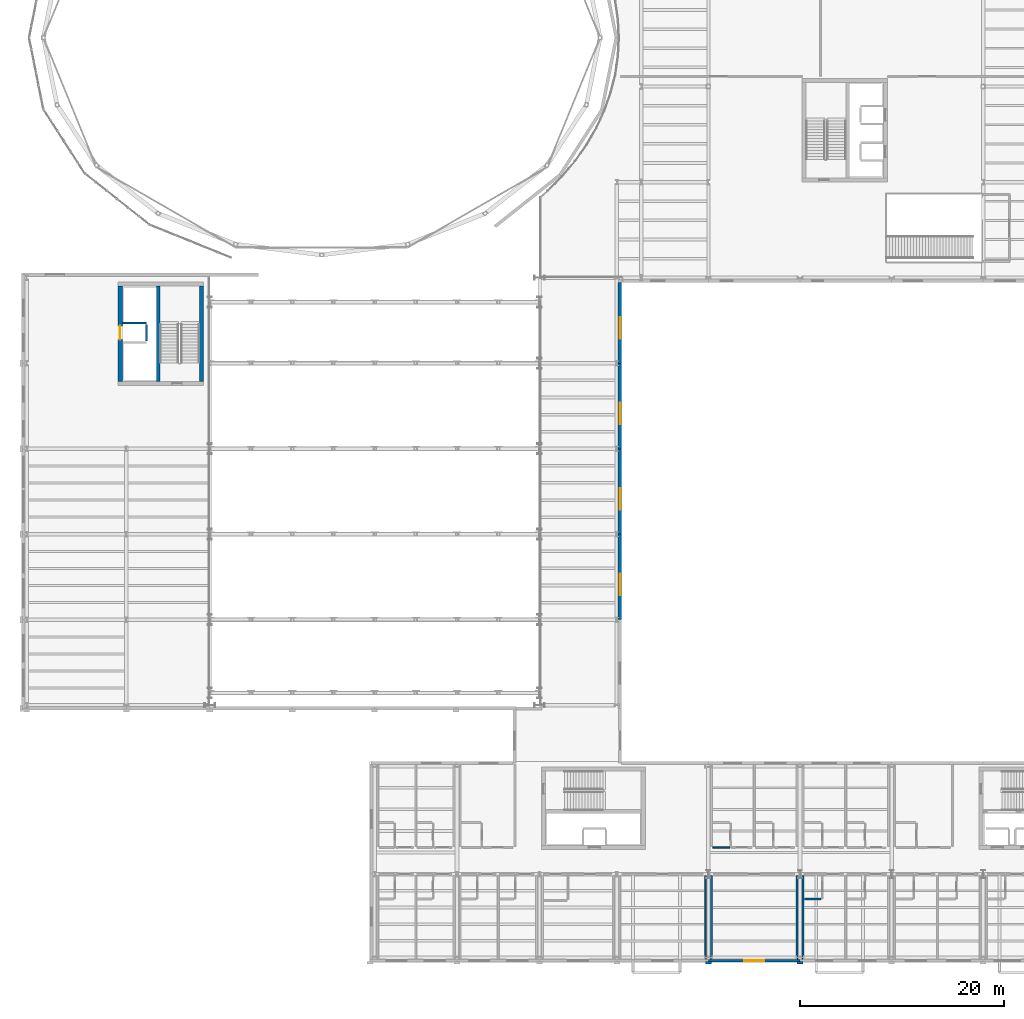
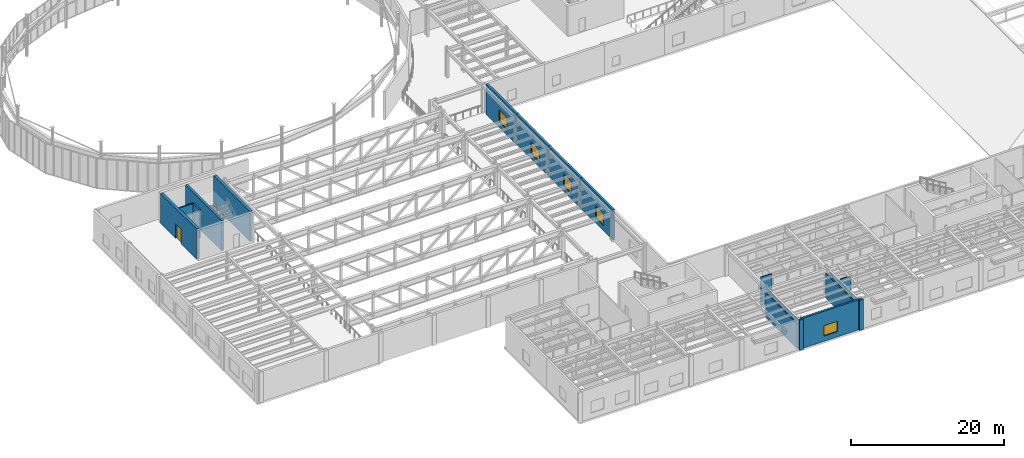
# One storey, part 68 of 91: 18 walls, 5 windows, 1 door, 6 openings.
"""IFC4 building model written with IfcOpenShell, lengths in metres."""

from ifc_helpers import new_model, si_unit, direction, frame, frame_2d, origin, place, context, subcontext, project, spatial, rectangle, extrude, material, layer, layer_set, type_object, element, fill, save


model = new_model("IFC4")

# Units and contexts
model_context = context("Model", 3, precision=1e-05, world=origin(), true_north=direction((0.0, 1.0)))
body_context = subcontext(model_context, "Body", "Model", "MODEL_VIEW")
ifc_project = project(units=[si_unit("LENGTHUNIT", "METRE"), si_unit("AREAUNIT", "SQUARE_METRE"), si_unit("VOLUMEUNIT", "CUBIC_METRE"), si_unit("PLANEANGLEUNIT", "RADIAN"), si_unit("MASSUNIT", "GRAM", prefix="KILO")], contexts=[model_context])

# Site, building, storey
site_placement = place(None, origin())
site = spatial("IfcSite", under=ifc_project, at=site_placement, CompositionType="ELEMENT")
building_placement = place(site_placement, origin())
building = spatial("IfcBuilding", under=site, at=building_placement, Name="Sollismere Congress Hotel", CompositionType="ELEMENT")
storey_placement = place(building_placement, frame((0.0, 0.0, 10.800048828125)))
storey = spatial("IfcBuildingStorey", under=building, at=storey_placement, Name="L02", CompositionType="ELEMENT", Elevation=10.800048828125)

# Wall, opening, window
ifc_material_1 = material(Name="Colorado Buff Sandstone Rainscreen on Insulated Backup", Category="masonry")
ifc_layer_1 = layer(ifc_material_1, 0.284912109375, Name="Colorado Buff Sandstone Rainscreen on Insulated Backup")
ifc_layer_set_1 = layer_set([ifc_layer_1], Name="Colorado Buff Sandstone Rainscreen on Insulated Backup")
wall_type_1 = type_object("IfcWallType", Name="WL-EXT285", PredefinedType="STANDARD", material=ifc_layer_set_1)
wall_1_placement = place(storey_placement, frame((67.0, -0.31005859375, 0.0), z_axis=(0.0, 0.0, 1.0), x_axis=(1.0, 0.0, 0.0)))
wall_1 = element("IfcWall", 1, at=wall_1_placement, inside=storey, type_object=wall_type_1, Name="Exterior wall EW-L02-334", PredefinedType="STANDARD", context=body_context, shape_type="SweptSolid", body=[
    extrude(rectangle(XDim=9.0, YDim=0.284912109375, at=frame_2d((4.5, 0.0))), origin(), (0.0, 0.0, 1.0), 4.800048828125),
])
opening_1_placement = place(wall_1_placement, frame((3.5, 0.0, 0.85009765625)))
opening_1 = element("IfcOpeningElement", 2, at=opening_1_placement, cuts=wall_1, Name="Opening W-L02-268", PredefinedType="OPENING", context=body_context, shape_type="SweptSolid", body=[
    extrude(rectangle(XDim=2.0, YDim=1.64990234375, at=frame_2d((1.0, 0.824951171875))), frame((0.0, 0.15234375, 0.0), z_axis=(0.0, -1.0, 0.0), x_axis=(1.0, 0.0, 0.0)), (0.0, 0.0, 1.0), 0.304931640625),
])
ifc_material_2 = material(Name="Thermally Broken Bronze Aluminum & Low-E Glass", Category="aluminium")
window_type_1 = type_object("IfcWindowType", Name="WN-P200x165", PartitioningType="SINGLE_PANEL", PredefinedType="WINDOW", material=ifc_material_2)
window_1_placement = place(opening_1_placement, origin())
window_1 = element("IfcWindow", 3, at=window_1_placement, inside=storey, type_object=window_type_1, Name="WIN-W-L02-268", OverallHeight=1.64990234375, OverallWidth=2.0, PartitioningType="SINGLE_PANEL", PredefinedType="WINDOW", context=body_context, shape_type="SweptSolid", body=[
    extrude(rectangle(XDim=2.0, YDim=1.64990234375, at=frame_2d((1.0, 0.824951171875))), frame((0.0, 0.030029296875, 0.0), z_axis=(0.0, -1.0, 0.0), x_axis=(1.0, 0.0, 0.0)), (0.0, 0.0, 1.0), 0.06005859375),
])
fill(opening_1, window_1)

ifc_material_3 = material(Name="Colorado Buff Sandstone and Limestone Backup C40/50", Category="masonry")
ifc_layer_2 = layer(ifc_material_3, 0.340087890625, Name="Colorado Buff Sandstone and Limestone Backup C40/50")
ifc_layer_set_2 = layer_set([ifc_layer_2], Name="Colorado Buff Sandstone and Limestone Backup C40/50")
wall_type_2 = type_object("IfcWallType", Name="WL-EXT340", PredefinedType="STANDARD", material=ifc_layer_set_2)
wall_2_placement = place(storey_placement, frame((58.31005859375, 33.199951171875, 0.0), z_axis=(0.0, 0.0, 1.0), x_axis=(0.0, 1.0, 0.0)))
wall_2 = element("IfcWall", 4, at=wall_2_placement, inside=storey, type_object=wall_type_2, Name="Exterior wall EW-L02-172", PredefinedType="STANDARD", context=body_context, shape_type="SweptSolid", body=[
    extrude(rectangle(XDim=8.400146484375, YDim=0.340087890625, at=frame_2d((4.2001953125, 0.0))), origin(), (0.0, 0.0, 1.0), 4.800048828125),
])
opening_2_placement = place(wall_2_placement, frame((2.39990234375, 0.0, 0.85009765625)))
opening_2 = element("IfcOpeningElement", 5, at=opening_2_placement, cuts=wall_2, Name="Opening W-L02-142", PredefinedType="OPENING", context=body_context, shape_type="SweptSolid", body=[
    extrude(rectangle(XDim=2.10009765625, YDim=1.89990234375, at=frame_2d((1.050048828125, 0.949951171875))), frame((0.0, 0.179931640625, 0.0), z_axis=(0.0, -1.0, 0.0), x_axis=(1.0, 0.0, 0.0)), (0.0, 0.0, 1.0), 0.360107421875),
])
window_type_2 = type_object("IfcWindowType", Name="WN-P210x190", PartitioningType="SINGLE_PANEL", PredefinedType="WINDOW", material=ifc_material_2)
window_2_placement = place(opening_2_placement, origin())
window_2 = element("IfcWindow", 6, at=window_2_placement, inside=storey, type_object=window_type_2, Name="WIN-W-L02-142", OverallHeight=1.89990234375, OverallWidth=2.10009765625, PartitioningType="SINGLE_PANEL", PredefinedType="WINDOW", context=body_context, shape_type="SweptSolid", body=[
    extrude(rectangle(XDim=2.10009765625, YDim=1.89990234375, at=frame_2d((1.050048828125, 0.949951171875))), frame((0.0, 0.030029296875, 0.0), z_axis=(0.0, -1.0, 0.0), x_axis=(1.0, 0.0, 0.0)), (0.0, 0.0, 1.0), 0.06005859375),
])
fill(opening_2, window_2)

wall_3_placement = place(storey_placement, frame((58.31005859375, 41.60009765625, 0.0), z_axis=(0.0, 0.0, 1.0), x_axis=(0.0, 1.0, 0.0)))
wall_3 = element("IfcWall", 7, at=wall_3_placement, inside=storey, type_object=wall_type_2, Name="Exterior wall EW-L02-173", PredefinedType="STANDARD", context=body_context, shape_type="SweptSolid", body=[
    extrude(rectangle(XDim=8.39990234375, YDim=0.340087890625, at=frame_2d((4.199951171875, 0.0))), origin(), (0.0, 0.0, 1.0), 4.800048828125),
])
opening_3_placement = place(wall_3_placement, frame((2.39990234375, 0.0, 0.85009765625)))
opening_3 = element("IfcOpeningElement", 8, at=opening_3_placement, cuts=wall_3, Name="Opening W-L02-143", PredefinedType="OPENING", context=body_context, shape_type="SweptSolid", body=[
    extrude(rectangle(XDim=2.10009765625, YDim=1.89990234375, at=frame_2d((1.050048828125, 0.949951171875))), frame((0.0, 0.179931640625, 0.0), z_axis=(0.0, -1.0, 0.0), x_axis=(1.0, 0.0, 0.0)), (0.0, 0.0, 1.0), 0.360107421875),
])
window_3_placement = place(opening_3_placement, origin())
window_3 = element("IfcWindow", 9, at=window_3_placement, inside=storey, type_object=window_type_2, Name="WIN-W-L02-143", OverallHeight=1.89990234375, OverallWidth=2.10009765625, PartitioningType="SINGLE_PANEL", PredefinedType="WINDOW", context=body_context, shape_type="SweptSolid", body=[
    extrude(rectangle(XDim=2.10009765625, YDim=1.89990234375, at=frame_2d((1.050048828125, 0.949951171875))), frame((0.0, 0.030029296875, 0.0), z_axis=(0.0, -1.0, 0.0), x_axis=(1.0, 0.0, 0.0)), (0.0, 0.0, 1.0), 0.06005859375),
])
fill(opening_3, window_3)

wall_4_placement = place(storey_placement, frame((58.31005859375, 50.0, 0.0), z_axis=(0.0, 0.0, 1.0), x_axis=(0.0, 1.0, 0.0)))
wall_4 = element("IfcWall", 10, at=wall_4_placement, inside=storey, type_object=wall_type_2, Name="Exterior wall EW-L02-174", PredefinedType="STANDARD", context=body_context, shape_type="SweptSolid", body=[
    extrude(rectangle(XDim=8.39990234375, YDim=0.340087890625, at=frame_2d((4.199951171875, 0.0))), origin(), (0.0, 0.0, 1.0), 4.800048828125),
])
opening_4_placement = place(wall_4_placement, frame((2.39990234375, 0.0, 0.85009765625)))
opening_4 = element("IfcOpeningElement", 11, at=opening_4_placement, cuts=wall_4, Name="Opening W-L02-144", PredefinedType="OPENING", context=body_context, shape_type="SweptSolid", body=[
    extrude(rectangle(XDim=2.10009765625, YDim=1.89990234375, at=frame_2d((1.050048828125, 0.949951171875))), frame((0.0, 0.179931640625, 0.0), z_axis=(0.0, -1.0, 0.0), x_axis=(1.0, 0.0, 0.0)), (0.0, 0.0, 1.0), 0.360107421875),
])
window_4_placement = place(opening_4_placement, origin())
window_4 = element("IfcWindow", 12, at=window_4_placement, inside=storey, type_object=window_type_2, Name="WIN-W-L02-144", OverallHeight=1.89990234375, OverallWidth=2.10009765625, PartitioningType="SINGLE_PANEL", PredefinedType="WINDOW", context=body_context, shape_type="SweptSolid", body=[
    extrude(rectangle(XDim=2.10009765625, YDim=1.89990234375, at=frame_2d((1.050048828125, 0.949951171875))), frame((0.0, 0.030029296875, 0.0), z_axis=(0.0, -1.0, 0.0), x_axis=(1.0, 0.0, 0.0)), (0.0, 0.0, 1.0), 0.06005859375),
])
fill(opening_4, window_4)

wall_5_placement = place(storey_placement, frame((58.31005859375, 58.39990234375, 0.0), z_axis=(0.0, 0.0, 1.0), x_axis=(0.0, 1.0, 0.0)))
wall_5 = element("IfcWall", 13, at=wall_5_placement, inside=storey, type_object=wall_type_2, Name="Exterior wall EW-L02-175", PredefinedType="STANDARD", context=body_context, shape_type="SweptSolid", body=[
    extrude(rectangle(XDim=7.918212890625, YDim=0.340087890625, at=frame_2d((3.958984375, 0.0))), origin(), (0.0, 0.0, 1.0), 4.800048828125),
])
opening_5_placement = place(wall_5_placement, frame((2.39990234375, 0.0, 0.85009765625)))
opening_5 = element("IfcOpeningElement", 14, at=opening_5_placement, cuts=wall_5, Name="Opening W-L02-145", PredefinedType="OPENING", context=body_context, shape_type="SweptSolid", body=[
    extrude(rectangle(XDim=2.10009765625, YDim=1.89990234375, at=frame_2d((1.050048828125, 0.949951171875))), frame((0.0, 0.179931640625, 0.0), z_axis=(0.0, -1.0, 0.0), x_axis=(1.0, 0.0, 0.0)), (0.0, 0.0, 1.0), 0.360107421875),
])
window_5_placement = place(opening_5_placement, origin())
window_5 = element("IfcWindow", 15, at=window_5_placement, inside=storey, type_object=window_type_2, Name="WIN-W-L02-145", OverallHeight=1.89990234375, OverallWidth=2.10009765625, PartitioningType="SINGLE_PANEL", PredefinedType="WINDOW", context=body_context, shape_type="SweptSolid", body=[
    extrude(rectangle(XDim=2.10009765625, YDim=1.89990234375, at=frame_2d((1.050048828125, 0.949951171875))), frame((0.0, 0.030029296875, 0.0), z_axis=(0.0, -1.0, 0.0), x_axis=(1.0, 0.0, 0.0)), (0.0, 0.0, 1.0), 0.06005859375),
])
fill(opening_5, window_5)

# Walls
ifc_material_4 = material(Name="Carved Travertine Pilaster & Frieze Assembly", Category="masonry")
ifc_layer_3 = layer(ifc_material_4, 0.260009765625, Name="Carved Travertine Pilaster & Frieze Assembly")
ifc_layer_set_3 = layer_set([ifc_layer_3], Name="Carved Travertine Pilaster & Frieze Assembly")
wall_type_3 = type_object("IfcWallType", Name="WL-PIL280", PredefinedType="ELEMENTEDWALL", material=ifc_layer_set_3)
for number, where, z_axis, x_axis, name in (
    (16, (66.699951171875, -0.52001953125, 0.0), (0.0, 0.0, 1.0), (1.0, 0.0, 0.0), "Exterior wall EW-L02-335"),
    (17, (75.699951171875, -0.52001953125, 0.0), (0.0, 0.0, 1.0), (1.0, 0.0, 0.0), "Exterior wall EW-L02-337"),
):
    element("IfcWall", number, at=place(storey_placement, frame(where, z_axis=z_axis, x_axis=x_axis)), inside=storey, type_object=wall_type_3, Name=name, PredefinedType="ELEMENTEDWALL", context=body_context, shape_type="SweptSolid", body=[
        extrude(rectangle(XDim=0.60009765625, YDim=0.260009765625, at=frame_2d((0.300048828125, 0.0))), origin(), (0.0, 0.0, 1.0), 4.800048828125),
    ])
ifc_material_5 = material(Name="Moisture-Resistant Shaft Gypsum Assembly")
ifc_layer_4 = layer(ifc_material_5, 0.199951171875, Name="Moisture-Resistant Shaft Gypsum Assembly")
ifc_layer_set_4 = layer_set([ifc_layer_4], Name="Moisture-Resistant Shaft Gypsum Assembly")
wall_type_4 = type_object("IfcWallType", Name="WL-PLM200", PredefinedType="PLUMBINGWALL", material=ifc_layer_set_4)
wall_6_placement = place(storey_placement, frame((9.412109375, 62.344970703125, 0.0), z_axis=(0.0, 0.0, 1.0), x_axis=(1.0, 0.0, 0.0)))
element("IfcWall", 18, at=wall_6_placement, inside=storey, type_object=wall_type_4, Name="Interior wall IW-L02-0661", PredefinedType="PLUMBINGWALL", context=body_context, shape_type="SweptSolid", body=[
    extrude(rectangle(XDim=2.387939453125, YDim=0.199951171875, at=frame_2d((1.19384765625, 0.0))), origin(), (0.0, 0.0, 1.0), 4.474853515625),
])
wall_7_placement = place(storey_placement, frame((11.800048828125, 60.56689453125, 0.0), z_axis=(0.0, 0.0, 1.0), x_axis=(0.0, 1.0, 0.0)))
element("IfcWall", 19, at=wall_7_placement, inside=storey, type_object=wall_type_4, Name="Interior wall IW-L02-0662", PredefinedType="PLUMBINGWALL", context=body_context, shape_type="SweptSolid", body=[
    extrude(rectangle(XDim=1.666015625, YDim=0.199951171875, at=frame_2d((0.8330078125, 0.0))), origin(), (0.0, 0.0, 1.0), 4.474853515625),
])
wall_8_placement = place(storey_placement, frame((76.419921875, 5.75, 0.0), z_axis=(0.0, 0.0, 1.0), x_axis=(1.0, 0.0, 0.0)))
element("IfcWall", 20, at=wall_8_placement, inside=storey, type_object=wall_type_4, Name="Interior wall IW-L02-1026", PredefinedType="PLUMBINGWALL", context=body_context, shape_type="SweptSolid", body=[
    extrude(rectangle(XDim=1.650146484375, YDim=0.199951171875, at=frame_2d((0.8251953125, 0.0))), origin(), (0.0, 0.0, 1.0), 4.02783203125),
])
ifc_material_6 = material(Name="Fire-Rated Gypsum Partition")
ifc_layer_5 = layer(ifc_material_6, 0.139892578125, Name="Fire-Rated Gypsum Partition")
ifc_layer_set_5 = layer_set([ifc_layer_5], Name="Fire-Rated Gypsum Partition")
wall_type_5 = type_object("IfcWallType", Name="WL-PRT140R", PredefinedType="PARTITIONING", material=ifc_layer_set_5)
wall_9_placement = place(storey_placement, frame((67.43994140625, 10.800048828125, 0.0), z_axis=(0.0, 0.0, 1.0), x_axis=(1.0, 0.0, 0.0)))
element("IfcWall", 21, at=wall_9_placement, inside=storey, type_object=wall_type_5, Name="Interior wall IW-L02-1010", PredefinedType="PARTITIONING", context=body_context, shape_type="SweptSolid", body=[
    extrude(rectangle(XDim=1.670166015625, YDim=0.139892578125, at=frame_2d((0.8349609375, 0.0))), origin(), (0.0, 0.0, 1.0), 4.474853515625),
])
ifc_material_7 = material(Name="Fire-Rated Acoustic Gypsum Partition")
ifc_layer_6 = layer(ifc_material_7, 0.1650390625, Name="Fire-Rated Acoustic Gypsum Partition")
ifc_layer_set_6 = layer_set([ifc_layer_6], Name="Fire-Rated Acoustic Gypsum Partition")
wall_type_6 = type_object("IfcWallType", Name="WL-PRT165R", PredefinedType="PARTITIONING", material=ifc_layer_set_6)
for number, where, z_axis, x_axis, name in (
    (22, (76.300048828125, -0.152587890625, 0.0), (0.0, 0.0, 1.0), (0.0, 1.0, 0.0), "Interior wall IW-L02-1023"),
    (23, (66.699951171875, -0.152587890625, 0.0), (0.0, 0.0, 1.0), (0.0, 1.0, 0.0), "Interior wall IW-L02-1205"),
    (24, (67.300048828125, -0.152587890625, 0.0), (0.0, 0.0, 1.0), (0.0, 1.0, 0.0), "Interior wall IW-L02-1207"),
    (25, (75.699951171875, -0.152587890625, 0.0), (0.0, 0.0, 1.0), (0.0, 1.0, 0.0), "Interior wall IW-L02-1208"),
):
    element("IfcWall", number, at=place(storey_placement, frame(where, z_axis=z_axis, x_axis=x_axis)), inside=storey, type_object=wall_type_6, Name=name, PredefinedType="PARTITIONING", context=body_context, shape_type="SweptSolid", body=[
        extrude(rectangle(XDim=8.212646484375, YDim=0.1650390625, at=frame_2d((4.1064453125, 0.0))), origin(), (0.0, 0.0, 1.0), 3.864990234375),
    ])
ifc_material_8 = material(Name="Concrete C50/60", Category="concrete")
ifc_layer_7 = layer(ifc_material_8, 0.35009765625, Name="Concrete C50/60")
ifc_layer_set_7 = layer_set([ifc_layer_7], Name="Concrete C50/60")
wall_type_7 = type_object("IfcWallType", Name="WL-SHR350", PredefinedType="SHEAR", material=ifc_layer_set_7)
wall_10_placement = place(storey_placement, frame((12.925048828125, 56.60009765625, 0.0), z_axis=(0.0, 0.0, 1.0), x_axis=(0.0, 1.0, 0.0)))
element("IfcWall", 26, at=wall_10_placement, inside=storey, type_object=wall_type_7, Name="Interior wall IW-L02-0659", PredefinedType="SHEAR", context=body_context, shape_type="SweptSolid", body=[
    extrude(rectangle(XDim=9.39990234375, YDim=0.35009765625, at=frame_2d((4.699951171875, 0.0))), origin(), (0.0, 0.0, 1.0), 4.800048828125),
])

# Wall, opening, door
ifc_layer_8 = layer(ifc_material_8, 0.39990234375, Name="Concrete C50/60")
ifc_layer_set_8 = layer_set([ifc_layer_8], Name="Concrete C50/60")
wall_type_8 = type_object("IfcWallType", Name="WL-SHR400", PredefinedType="SHEAR", material=ifc_layer_set_8)
wall_11_placement = place(storey_placement, frame((9.199951171875, 66.0, 0.0), z_axis=(0.0, 0.0, 1.0), x_axis=(0.0, -1.0, 0.0)))
wall_11 = element("IfcWall", 27, at=wall_11_placement, inside=storey, type_object=wall_type_8, Name="Interior wall IW-L02-0657", PredefinedType="SHEAR", context=body_context, shape_type="SweptSolid", body=[
    extrude(rectangle(XDim=9.39990234375, YDim=0.39990234375, at=frame_2d((4.699951171875, 0.0))), origin(), (0.0, 0.0, 1.0), 4.800048828125),
])
opening_6_placement = place(wall_11_placement, frame((3.925048828125, 0.0, 0.0)))
opening_6 = element("IfcOpeningElement", 28, at=opening_6_placement, cuts=wall_11, Name="Opening LD-LS-03-L02", PredefinedType="OPENING", context=body_context, shape_type="SweptSolid", body=[
    extrude(rectangle(XDim=1.35009765625, YDim=2.300048828125, at=frame_2d((0.675048828125, 1.14990234375))), frame((0.0, 0.2099609375, 0.0), z_axis=(0.0, -1.0, 0.0), x_axis=(1.0, 0.0, 0.0)), (0.0, 0.0, 1.0), 0.419921875),
])
ifc_material_9 = material(Name="Heavy-Duty Stainless Sliding Service Landing Door")
door_type = type_object("IfcDoorType", Name="DR-LD135", OperationType="NOTDEFINED", PredefinedType="DOOR", material=ifc_material_9)
door_placement = place(opening_6_placement, origin())
door = element("IfcDoor", 29, at=door_placement, inside=storey, type_object=door_type, Name="Elevator landing door LD-LS-03-L02", OperationType="SLIDING_TO_LEFT", OverallHeight=2.300048828125, OverallWidth=1.35009765625, PredefinedType="DOOR", context=body_context, shape_type="SweptSolid", body=[
    extrude(rectangle(XDim=1.35009765625, YDim=2.300048828125, at=frame_2d((0.675048828125, 1.14990234375))), frame((0.0, 0.02490234375, 0.0), z_axis=(0.0, -1.0, 0.0), x_axis=(1.0, 0.0, 0.0)), (0.0, 0.0, 1.0), 0.050048828125),
])
fill(opening_6, door)

# Wall
wall_12_placement = place(storey_placement, frame((17.199951171875, 56.60009765625, 0.0), z_axis=(0.0, 0.0, 1.0), x_axis=(0.0, 1.0, 0.0)))
element("IfcWall", 30, at=wall_12_placement, inside=storey, type_object=wall_type_8, Name="Interior wall IW-L02-0658", PredefinedType="SHEAR", context=body_context, shape_type="SweptSolid", body=[
    extrude(rectangle(XDim=9.39990234375, YDim=0.39990234375, at=frame_2d((4.699951171875, 0.0))), origin(), (0.0, 0.0, 1.0), 4.800048828125),
])

save(model, "model.ifc")
